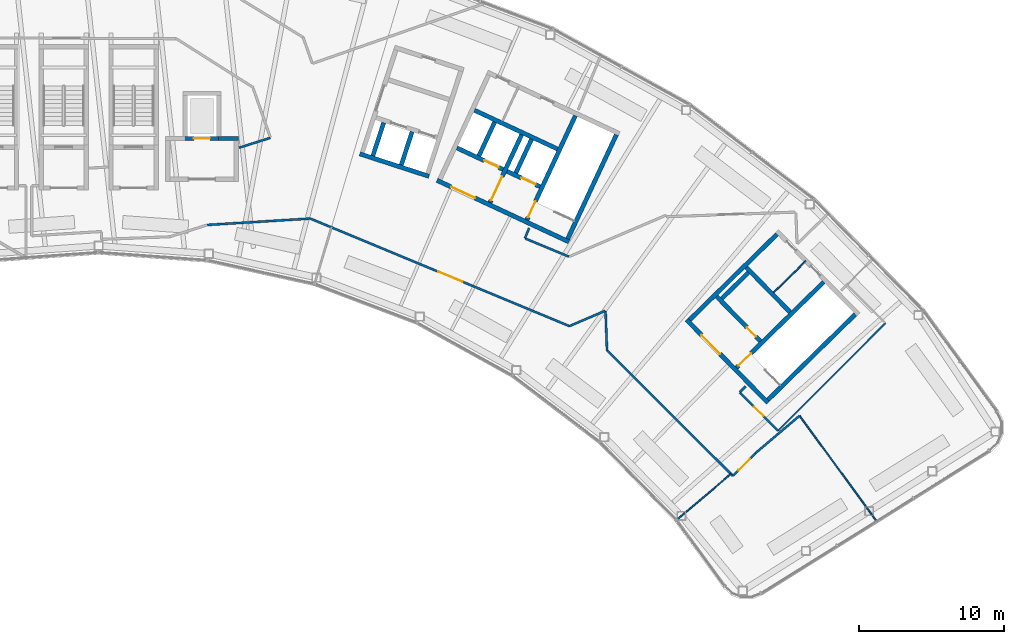
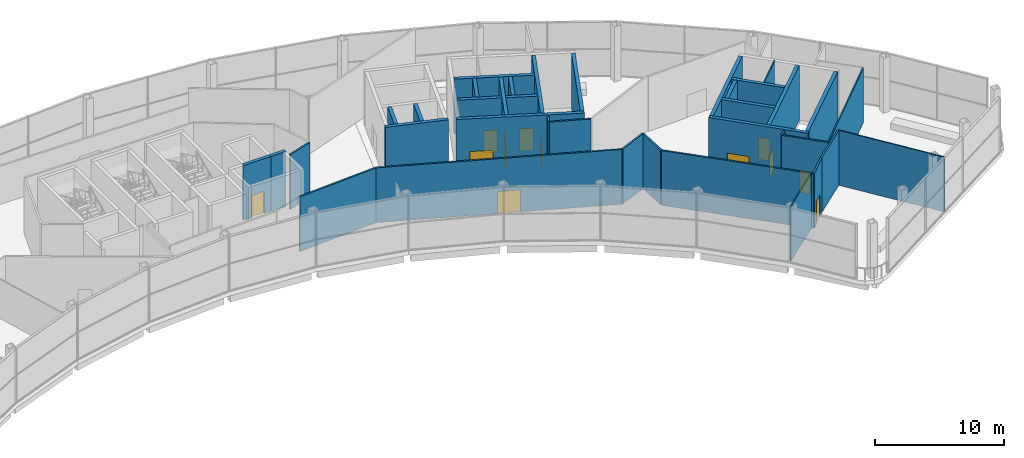
# One storey, part 39 of 44: 37 walls, 12 doors, 12 openings.
"""IFC4 building model written with IfcOpenShell, lengths in metres."""

from ifc_helpers import new_model, si_unit, direction, frame, frame_2d, origin, place, context, subcontext, project, spatial, rectangle, extrude, material, layer, layer_set, type_object, element, fill, save


model = new_model("IFC4")

# Units and contexts
model_context = context("Model", 3, precision=1e-05, world=origin(), true_north=direction((0.0, 1.0)))
body_context = subcontext(model_context, "Body", "Model", "MODEL_VIEW")
ifc_project = project(units=[si_unit("LENGTHUNIT", "METRE"), si_unit("AREAUNIT", "SQUARE_METRE"), si_unit("VOLUMEUNIT", "CUBIC_METRE"), si_unit("PLANEANGLEUNIT", "RADIAN"), si_unit("MASSUNIT", "GRAM", prefix="KILO")], contexts=[model_context])

# Site, building, storey
site_placement = place(None, origin())
site = spatial("IfcSite", under=ifc_project, at=site_placement, CompositionType="ELEMENT")
building_placement = place(site_placement, origin())
building = spatial("IfcBuilding", under=site, at=building_placement, Name="Tuul Gate Civic Tower", CompositionType="ELEMENT")
storey_placement = place(building_placement, frame((0.0, 0.0, 354.60009765625)))
storey = spatial("IfcBuildingStorey", under=building, at=storey_placement, Name="Observation level 2", CompositionType="ELEMENT", Elevation=354.60009765625)

# Wall, opening, door
ifc_material_1 = material(Name="Concrete C50/60", Category="concrete")
ifc_layer_1 = layer(ifc_material_1, 0.300048828125)
ifc_layer_set_1 = layer_set([ifc_layer_1], Name="Concrete C50/60")
wall_type_1 = type_object("IfcWallType", Name="Core wall C50/60", PredefinedType="SHEAR", material=ifc_layer_set_1)
wall_1_placement = place(storey_placement, frame((48.22509765625, -18.327880859375, 0.0), z_axis=(0.0, 0.0, 1.0), x_axis=(-0.700021979774, 0.714121297703, 0.0)))
wall_1 = element("IfcWall", 1, at=wall_1_placement, inside=storey, type_object=wall_type_1, Name="Core wall", PredefinedType="SHEAR", context=body_context, shape_type="SweptSolid", body=[
    extrude(rectangle(XDim=8.0, YDim=0.300048828125, at=frame_2d((4.0, 0.0))), origin(), (0.0, 0.0, 1.0), 5.199951171875),
])
opening_1_placement = place(wall_1_placement, frame((4.72509765625, 0.0, 0.0)))
opening_1 = element("IfcOpeningElement", 2, at=opening_1_placement, cuts=wall_1, Name="Opening LB-E1-LOBBY-1", PredefinedType="OPENING", context=body_context, shape_type="SweptSolid", body=[
    extrude(rectangle(XDim=1.800048828125, YDim=2.10009765625, at=frame_2d((0.89990234375, 1.050048828125))), frame((0.0, 0.16015625, 0.0), z_axis=(0.0, -1.0, 0.0), x_axis=(1.0, 0.0, 0.0)), (0.0, 0.0, 1.0), 0.320068359375),
])
ifc_material_2 = material(Name="Steel", Category="steel")
door_type_1 = type_object("IfcDoorType", Name="Lobby door", OperationType="DOUBLE_DOOR_SINGLE_SWING", PredefinedType="DOOR", material=ifc_material_2)
door_1_placement = place(opening_1_placement, origin())
door_1 = element("IfcDoor", 3, at=door_1_placement, inside=storey, type_object=door_type_1, Name="Lobby door E1-LOBBY", OperationType="DOUBLE_DOOR_SINGLE_SWING", OverallHeight=2.10009765625, OverallWidth=1.800048828125, PredefinedType="DOOR", context=body_context, shape_type="SweptSolid", body=[
    extrude(rectangle(XDim=1.800048828125, YDim=2.10009765625, at=frame_2d((0.89990234375, 1.050048828125))), frame((0.0, 0.02490234375, 0.0), z_axis=(0.0, -1.0, 0.0), x_axis=(1.0, 0.0, 0.0)), (0.0, 0.0, 1.0), 0.050048828125),
])
fill(opening_1, door_1)

wall_2_placement = place(storey_placement, frame((47.701904296875, -14.079833984375, 0.0), z_axis=(0.0, 0.0, 1.0), x_axis=(-0.700002721075, 0.714140175657, 0.0)))
wall_2 = element("IfcWall", 4, at=wall_2_placement, inside=storey, type_object=wall_type_1, Name="Core wall", PredefinedType="SHEAR", context=body_context, shape_type="SweptSolid", body=[
    extrude(rectangle(XDim=4.300048828125, YDim=0.300048828125, at=frame_2d((2.14990234375, 0.0))), origin(), (0.0, 0.0, 1.0), 5.199951171875),
])
opening_2_placement = place(wall_2_placement, frame((0.425048828125, 0.0, 0.0)))
opening_2 = element("IfcOpeningElement", 5, at=opening_2_placement, cuts=wall_2, Name="Opening FB-E1A1", PredefinedType="OPENING", context=body_context, shape_type="SweptSolid", body=[
    extrude(rectangle(XDim=0.89990234375, YDim=2.10009765625, at=frame_2d((0.449951171875, 1.050048828125))), frame((0.0, 0.16015625, 0.0), z_axis=(0.0, -1.0, 0.0), x_axis=(1.0, 0.0, 0.0)), (0.0, 0.0, 1.0), 0.320068359375),
])
ifc_material_3 = material(Name="Steel", Category="steel")
door_type_2 = type_object("IfcDoorType", Name="Store door", OperationType="NOTDEFINED", PredefinedType="DOOR", material=ifc_material_3)
door_2_placement = place(opening_2_placement, frame((0.89990234375, 0.0, 0.0), z_axis=(0.0, 0.0, 1.0), x_axis=(-1.0, 0.0, 0.0)))
door_2 = element("IfcDoor", 6, at=door_2_placement, inside=storey, type_object=door_type_2, Name="Store door E1A1", OperationType="SINGLE_SWING_RIGHT", OverallHeight=2.10009765625, OverallWidth=0.89990234375, PredefinedType="DOOR", context=body_context, shape_type="SweptSolid", body=[
    extrude(rectangle(XDim=0.89990234375, YDim=2.10009765625, at=frame_2d((0.449951171875, 1.050048828125))), frame((0.0, 0.02490234375, 0.0), z_axis=(0.0, -1.0, 0.0), x_axis=(1.0, 0.0, 0.0)), (0.0, 0.0, 1.0), 0.050048828125),
])
fill(opening_2, door_2)

# Walls
wall_3_placement = place(storey_placement, frame((49.737060546875, -12.0849609375, 0.0), z_axis=(0.0, 0.0, 1.0), x_axis=(-0.700002721075, 0.714140175657, 0.0)))
element("IfcWall", 7, at=wall_3_placement, inside=storey, type_object=wall_type_1, Name="Core wall", PredefinedType="SHEAR", context=body_context, shape_type="SweptSolid", body=[
    extrude(rectangle(XDim=4.300048828125, YDim=0.300048828125, at=frame_2d((2.14990234375, 0.0))), origin(), (0.0, 0.0, 1.0), 5.199951171875),
])
wall_4_placement = place(storey_placement, frame((48.227294921875, -18.115966796875, 0.0), z_axis=(0.0, 0.0, 1.0), x_axis=(0.714105315431, 0.700038283577, 0.0)))
element("IfcWall", 8, at=wall_4_placement, inside=storey, type_object=wall_type_1, Name="Core wall", PredefinedType="SHEAR", context=body_context, shape_type="SweptSolid", body=[
    extrude(rectangle(XDim=8.400146484375, YDim=0.300048828125, at=frame_2d((4.2001953125, 0.0))), origin(), (0.0, 0.0, 1.0), 5.199951171875),
])

# Wall, opening, door
wall_5_placement = place(storey_placement, frame((46.05712890625, -15.902099609375, 0.0), z_axis=(0.0, 0.0, 1.0), x_axis=(0.714134086973, 0.700008932674, 0.0)))
wall_5 = element("IfcWall", 9, at=wall_5_placement, inside=storey, type_object=wall_type_1, Name="Core wall", PredefinedType="SHEAR", context=body_context, shape_type="SweptSolid", body=[
    extrude(rectangle(XDim=8.400146484375, YDim=0.300048828125, at=frame_2d((4.2001953125, 0.0))), origin(), (0.0, 0.0, 1.0), 5.199951171875),
])
opening_3_placement = place(wall_5_placement, frame((0.199951171875, 0.0, 0.0)))
opening_3 = element("IfcOpeningElement", 10, at=opening_3_placement, cuts=wall_5, Name="Opening SD-ST-3", PredefinedType="OPENING", context=body_context, shape_type="SweptSolid", body=[
    extrude(rectangle(XDim=1.199951171875, YDim=2.10009765625, at=frame_2d((0.60009765625, 1.050048828125))), frame((0.0, 0.16015625, 0.0), z_axis=(0.0, -1.0, 0.0), x_axis=(1.0, 0.0, 0.0)), (0.0, 0.0, 1.0), 0.320068359375),
])
ifc_material_4 = material(Name="Steel", Category="steel")
door_type_3 = type_object("IfcDoorType", Name="Stair door", OperationType="NOTDEFINED", PredefinedType="DOOR", material=ifc_material_4)
door_3_placement = place(opening_3_placement, frame((1.199951171875, 0.0, 0.0), z_axis=(0.0, 0.0, 1.0), x_axis=(-1.0, 0.0, 0.0)))
door_3 = element("IfcDoor", 11, at=door_3_placement, inside=storey, type_object=door_type_3, Name="Stair door ST-3", OperationType="SINGLE_SWING_RIGHT", OverallHeight=2.10009765625, OverallWidth=1.199951171875, PredefinedType="DOOR", context=body_context, shape_type="SweptSolid", body=[
    extrude(rectangle(XDim=1.199951171875, YDim=2.10009765625, at=frame_2d((0.599853515625, 1.050048828125))), frame((0.0, 0.02490234375, 0.0), z_axis=(0.0, -1.0, 0.0), x_axis=(1.0, 0.0, 0.0)), (0.0, 0.0, 1.0), 0.050048828125),
])
fill(opening_3, door_3)

# Walls
wall_6_placement = place(storey_placement, frame((45.0439453125, -11.154052734375, 0.0), z_axis=(0.0, 0.0, 1.0), x_axis=(0.714108498262, 0.700035036773, 0.0)))
element("IfcWall", 12, at=wall_6_placement, inside=storey, type_object=wall_type_1, Name="Core wall", PredefinedType="SHEAR", context=body_context, shape_type="SweptSolid", body=[
    extrude(rectangle(XDim=2.550048828125, YDim=0.300048828125, at=frame_2d((1.27490234375, 0.0))), origin(), (0.0, 0.0, 1.0), 5.199951171875),
])
wall_7_placement = place(storey_placement, frame((42.837158203125, -12.616943359375, 0.0), z_axis=(0.0, 0.0, 1.0), x_axis=(0.714119844755, 0.700023461983, 0.0)))
element("IfcWall", 13, at=wall_7_placement, inside=storey, type_object=wall_type_1, Name="Core wall", PredefinedType="SHEAR", context=body_context, shape_type="SweptSolid", body=[
    extrude(rectangle(XDim=8.39990234375, YDim=0.300048828125, at=frame_2d((4.199951171875, 0.0))), origin(), (0.0, 0.0, 1.0), 5.199951171875),
])

# Wall, opening, door
wall_8_placement = place(storey_placement, frame((34.5283203125, -7.25, 0.0), z_axis=(0.0, 0.0, 1.0), x_axis=(-0.906310338845, 0.422612789327, 0.0)))
wall_8 = element("IfcWall", 14, at=wall_8_placement, inside=storey, type_object=wall_type_1, Name="Core wall", PredefinedType="SHEAR", context=body_context, shape_type="SweptSolid", body=[
    extrude(rectangle(XDim=9.999755859375, YDim=0.300048828125, at=frame_2d((5.0, 0.0))), origin(), (0.0, 0.0, 1.0), 5.199951171875),
])
opening_4_placement = place(wall_8_placement, frame((7.125, 0.0, 0.0)))
opening_4 = element("IfcOpeningElement", 15, at=opening_4_placement, cuts=wall_8, Name="Opening LB-E3-LOBBY-1", PredefinedType="OPENING", context=body_context, shape_type="SweptSolid", body=[
    extrude(rectangle(XDim=1.800048828125, YDim=2.10009765625, at=frame_2d((0.89990234375, 1.050048828125))), frame((0.0, 0.16015625, 0.0), z_axis=(0.0, -1.0, 0.0), x_axis=(1.0, 0.0, 0.0)), (0.0, 0.0, 1.0), 0.320068359375),
])
door_4_placement = place(opening_4_placement, origin())
door_4 = element("IfcDoor", 16, at=door_4_placement, inside=storey, type_object=door_type_1, Name="Lobby door E3-LOBBY", OperationType="DOUBLE_DOOR_SINGLE_SWING", OverallHeight=2.10009765625, OverallWidth=1.800048828125, PredefinedType="DOOR", context=body_context, shape_type="SweptSolid", body=[
    extrude(rectangle(XDim=1.800048828125, YDim=2.10009765625, at=frame_2d((0.89990234375, 1.050048828125))), frame((0.0, 0.02490234375, 0.0), z_axis=(0.0, -1.0, 0.0), x_axis=(1.0, 0.0, 0.0)), (0.0, 0.0, 1.0), 0.050048828125),
])
fill(opening_4, door_4)

wall_9_placement = place(storey_placement, frame((32.545654296875, -3.456787109375, 0.0), z_axis=(0.0, 0.0, 1.0), x_axis=(-0.906300357825, 0.42263419337, 0.0)))
wall_9 = element("IfcWall", 17, at=wall_9_placement, inside=storey, type_object=wall_type_1, Name="Core wall", PredefinedType="SHEAR", context=body_context, shape_type="SweptSolid", body=[
    extrude(rectangle(XDim=2.500244140625, YDim=0.300048828125, at=frame_2d((1.25, 0.0))), origin(), (0.0, 0.0, 1.0), 5.199951171875),
])
opening_5_placement = place(wall_9_placement, frame((0.324951171875, 0.0, 0.0)))
opening_5 = element("IfcOpeningElement", 18, at=opening_5_placement, cuts=wall_9, Name="Opening LD-FF-2", PredefinedType="OPENING", context=body_context, shape_type="SweptSolid", body=[
    extrude(rectangle(XDim=1.10009765625, YDim=2.10009765625, at=frame_2d((0.550048828125, 1.050048828125))), frame((0.0, 0.16015625, 0.0), z_axis=(0.0, -1.0, 0.0), x_axis=(1.0, 0.0, 0.0)), (0.0, 0.0, 1.0), 0.320068359375),
])
ifc_material_5 = material(Name="Stainless steel", Category="steel")
door_type_4 = type_object("IfcDoorType", Name="Landing door", OperationType="DOUBLE_DOOR_SLIDING", PredefinedType="DOOR", material=ifc_material_5)
door_5_placement = place(opening_5_placement, origin())
door_5 = element("IfcDoor", 19, at=door_5_placement, inside=storey, type_object=door_type_4, Name="Fire-fighting lift FF-2 landing door", OperationType="DOUBLE_DOOR_SLIDING", OverallHeight=2.10009765625, OverallWidth=1.10009765625, PredefinedType="DOOR", context=body_context, shape_type="SweptSolid", body=[
    extrude(rectangle(XDim=1.10009765625, YDim=2.10009765625, at=frame_2d((0.550048828125, 1.050048828125))), frame((0.0, 0.02490234375, 0.0), z_axis=(0.0, -1.0, 0.0), x_axis=(1.0, 0.0, 0.0)), (0.0, 0.0, 1.0), 0.050048828125),
])
fill(opening_5, door_5)

wall_10_placement = place(storey_placement, frame((30.0078125, -2.2734375, 0.0), z_axis=(0.0, 0.0, 1.0), x_axis=(-0.90630071767, 0.422633421716, 0.0)))
wall_10 = element("IfcWall", 20, at=wall_10_placement, inside=storey, type_object=wall_type_1, Name="Core wall", PredefinedType="SHEAR", context=body_context, shape_type="SweptSolid", body=[
    extrude(rectangle(XDim=3.5, YDim=0.300048828125, at=frame_2d((1.75, 0.0))), origin(), (0.0, 0.0, 1.0), 5.199951171875),
])
opening_6_placement = place(wall_10_placement, frame((0.324951171875, 0.0, 0.0)))
opening_6 = element("IfcOpeningElement", 21, at=opening_6_placement, cuts=wall_10, Name="Opening LD-X1", PredefinedType="OPENING", context=body_context, shape_type="SweptSolid", body=[
    extrude(rectangle(XDim=1.10009765625, YDim=2.10009765625, at=frame_2d((0.550048828125, 1.050048828125))), frame((0.0, 0.16015625, 0.0), z_axis=(0.0, -1.0, 0.0), x_axis=(1.0, 0.0, 0.0)), (0.0, 0.0, 1.0), 0.320068359375),
])
door_6_placement = place(opening_6_placement, origin())
door_6 = element("IfcDoor", 22, at=door_6_placement, inside=storey, type_object=door_type_4, Name="Observation express lift X1 landing door", OperationType="DOUBLE_DOOR_SLIDING", OverallHeight=2.10009765625, OverallWidth=1.10009765625, PredefinedType="DOOR", context=body_context, shape_type="SweptSolid", body=[
    extrude(rectangle(XDim=1.10009765625, YDim=2.10009765625, at=frame_2d((0.550048828125, 1.050048828125))), frame((0.0, 0.02490234375, 0.0), z_axis=(0.0, -1.0, 0.0), x_axis=(1.0, 0.0, 0.0)), (0.0, 0.0, 1.0), 0.050048828125),
])
fill(opening_6, door_6)

# Walls
wall_11_placement = place(storey_placement, frame((33.75, -0.873779296875, 0.0), z_axis=(0.0, 0.0, 1.0), x_axis=(-0.906300917592, 0.422632992999, 0.0)))
element("IfcWall", 23, at=wall_11_placement, inside=storey, type_object=wall_type_1, Name="Core wall", PredefinedType="SHEAR", context=body_context, shape_type="SweptSolid", body=[
    extrude(rectangle(XDim=6.300048828125, YDim=0.300048828125, at=frame_2d((3.14990234375, 0.0))), origin(), (0.0, 0.0, 1.0), 5.199951171875),
])
wall_12_placement = place(storey_placement, frame((34.455810546875, -7.05078125, 0.0), z_axis=(0.0, 0.0, 1.0), x_axis=(0.422570768258, 0.906329932096, 0.0)))
element("IfcWall", 24, at=wall_12_placement, inside=storey, type_object=wall_type_1, Name="Core wall", PredefinedType="SHEAR", context=body_context, shape_type="SweptSolid", body=[
    extrude(rectangle(XDim=7.900146484375, YDim=0.300048828125, at=frame_2d((3.9501953125, 0.0))), origin(), (0.0, 0.0, 1.0), 5.199951171875),
])

# Wall, opening, door
wall_13_placement = place(storey_placement, frame((31.646240234375, -5.740478515625, 0.0), z_axis=(0.0, 0.0, 1.0), x_axis=(0.422582604137, 0.906324413596, 0.0)))
wall_13 = element("IfcWall", 25, at=wall_13_placement, inside=storey, type_object=wall_type_1, Name="Core wall", PredefinedType="SHEAR", context=body_context, shape_type="SweptSolid", body=[
    extrude(rectangle(XDim=7.89990234375, YDim=0.300048828125, at=frame_2d((3.949951171875, 0.0))), origin(), (0.0, 0.0, 1.0), 5.199951171875),
])
opening_7_placement = place(wall_13_placement, frame((0.199951171875, 0.0, 0.0)))
opening_7 = element("IfcOpeningElement", 26, at=opening_7_placement, cuts=wall_13, Name="Opening SD-ST-4", PredefinedType="OPENING", context=body_context, shape_type="SweptSolid", body=[
    extrude(rectangle(XDim=1.199951171875, YDim=2.10009765625, at=frame_2d((0.60009765625, 1.050048828125))), frame((0.0, 0.16015625, 0.0), z_axis=(0.0, -1.0, 0.0), x_axis=(1.0, 0.0, 0.0)), (0.0, 0.0, 1.0), 0.320068359375),
])
door_7_placement = place(opening_7_placement, frame((1.199951171875, 0.0, 0.0), z_axis=(0.0, 0.0, 1.0), x_axis=(-1.0, 0.0, 0.0)))
door_7 = element("IfcDoor", 27, at=door_7_placement, inside=storey, type_object=door_type_3, Name="Stair door ST-4", OperationType="SINGLE_SWING_RIGHT", OverallHeight=2.10009765625, OverallWidth=1.199951171875, PredefinedType="DOOR", context=body_context, shape_type="SweptSolid", body=[
    extrude(rectangle(XDim=1.199951171875, YDim=2.10009765625, at=frame_2d((0.599853515625, 1.050048828125))), frame((0.0, 0.02490234375, 0.0), z_axis=(0.0, -1.0, 0.0), x_axis=(1.0, 0.0, 0.0)), (0.0, 0.0, 1.0), 0.050048828125),
])
fill(opening_7, door_7)

# Wall
wall_14_placement = place(storey_placement, frame((30.886962890625, -2.517822265625, 0.0), z_axis=(0.0, 0.0, 1.0), x_axis=(0.422612891016, 0.906310291427, 0.0)))
element("IfcWall", 28, at=wall_14_placement, inside=storey, type_object=wall_type_1, Name="Core wall", PredefinedType="SHEAR", context=body_context, shape_type="SweptSolid", body=[
    extrude(rectangle(XDim=2.550048828125, YDim=0.300048828125, at=frame_2d((1.27490234375, 0.0))), origin(), (0.0, 0.0, 1.0), 5.199951171875),
])

# Wall, opening, door
wall_15_placement = place(storey_placement, frame((29.108642578125, -4.557373046875, 0.0), z_axis=(0.0, 0.0, 1.0), x_axis=(0.422566235356, 0.90633204552, 0.0)))
wall_15 = element("IfcWall", 29, at=wall_15_placement, inside=storey, type_object=wall_type_1, Name="Core wall", PredefinedType="SHEAR", context=body_context, shape_type="SweptSolid", body=[
    extrude(rectangle(XDim=5.150146484375, YDim=0.300048828125, at=frame_2d((2.5751953125, 0.0))), origin(), (0.0, 0.0, 1.0), 5.199951171875),
])
opening_8_placement = place(wall_15_placement, frame((0.175048828125, 0.0, 0.0)))
opening_8 = element("IfcOpeningElement", 30, at=opening_8_placement, cuts=wall_15, Name="Opening LB-E3-FLOBBY-1", PredefinedType="OPENING", context=body_context, shape_type="SweptSolid", body=[
    extrude(rectangle(XDim=1.800048828125, YDim=2.10009765625, at=frame_2d((0.89990234375, 1.050048828125))), frame((0.0, 0.16015625, 0.0), z_axis=(0.0, -1.0, 0.0), x_axis=(1.0, 0.0, 0.0)), (0.0, 0.0, 1.0), 0.320068359375),
])
door_8_placement = place(opening_8_placement, origin())
door_8 = element("IfcDoor", 31, at=door_8_placement, inside=storey, type_object=door_type_1, Name="Lobby door E3-FLOBBY", OperationType="DOUBLE_DOOR_SINGLE_SWING", OverallHeight=2.10009765625, OverallWidth=1.800048828125, PredefinedType="DOOR", context=body_context, shape_type="SweptSolid", body=[
    extrude(rectangle(XDim=1.800048828125, YDim=2.10009765625, at=frame_2d((0.89990234375, 1.050048828125))), frame((0.0, 0.02490234375, 0.0), z_axis=(0.0, -1.0, 0.0), x_axis=(1.0, 0.0, 0.0)), (0.0, 0.0, 1.0), 0.050048828125),
])
fill(opening_8, door_8)

# Wall
wall_16_placement = place(storey_placement, frame((28.349365234375, -1.33447265625, 0.0), z_axis=(0.0, 0.0, 1.0), x_axis=(0.422612891016, 0.906310291427, 0.0)))
element("IfcWall", 32, at=wall_16_placement, inside=storey, type_object=wall_type_1, Name="Core wall", PredefinedType="SHEAR", context=body_context, shape_type="SweptSolid", body=[
    extrude(rectangle(XDim=2.550048828125, YDim=0.300048828125, at=frame_2d((1.27490234375, 0.0))), origin(), (0.0, 0.0, 1.0), 5.199951171875),
])

# Wall, opening, door
wall_17_placement = place(storey_placement, frame((10.60009765625, -0.14990234375, 0.0), z_axis=(0.0, 0.0, 1.0), x_axis=(-1.0, 0.0, 0.0)))
wall_17 = element("IfcWall", 33, at=wall_17_placement, inside=storey, type_object=wall_type_1, Name="Core wall", PredefinedType="SHEAR", context=body_context, shape_type="SweptSolid", body=[
    extrude(rectangle(XDim=2.60009765625, YDim=0.300048828125, at=frame_2d((1.300048828125, 0.0))), origin(), (0.0, 0.0, 1.0), 5.199951171875),
])
opening_9_placement = place(wall_17_placement, frame((0.75, 0.0, 0.0)))
opening_9 = element("IfcOpeningElement", 34, at=opening_9_placement, cuts=wall_17, Name="Opening LD-X4", PredefinedType="OPENING", context=body_context, shape_type="SweptSolid", body=[
    extrude(rectangle(XDim=1.10009765625, YDim=2.10009765625, at=frame_2d((0.550048828125, 1.050048828125))), frame((0.0, 0.16015625, 0.0), z_axis=(0.0, -1.0, 0.0), x_axis=(1.0, 0.0, 0.0)), (0.0, 0.0, 1.0), 0.320068359375),
])
door_9_placement = place(opening_9_placement, origin())
door_9 = element("IfcDoor", 35, at=door_9_placement, inside=storey, type_object=door_type_4, Name="Crown lift X4 landing door", OperationType="DOUBLE_DOOR_SLIDING", OverallHeight=2.10009765625, OverallWidth=1.10009765625, PredefinedType="DOOR", context=body_context, shape_type="SweptSolid", body=[
    extrude(rectangle(XDim=1.10009765625, YDim=2.10009765625, at=frame_2d((0.550048828125, 1.050048828125))), frame((0.0, 0.02490234375, 0.0), z_axis=(0.0, -1.0, 0.0), x_axis=(1.0, 0.0, 0.0)), (0.0, 0.0, 1.0), 0.050048828125),
])
fill(opening_9, door_9)

# Wall
ifc_material_6 = material(Name="Gypsum board partition")
ifc_layer_2 = layer(ifc_material_6, 0.14990234375)
ifc_layer_set_2 = layer_set([ifc_layer_2], Name="Gypsum board partition")
wall_type_2 = type_object("IfcWallType", Name="Corridor wall P150", PredefinedType="PARTITIONING", material=ifc_layer_set_2)
wall_18_placement = place(storey_placement, frame((46.28125, -17.595703125, 0.0), z_axis=(0.0, 0.0, 1.0), x_axis=(0.706045857572, 0.708166115403, 0.0)))
element("IfcWall", 36, at=wall_18_placement, inside=storey, type_object=wall_type_2, Name="p001", PredefinedType="PARTITIONING", context=body_context, shape_type="SweptSolid", body=[
    extrude(rectangle(XDim=0.57568359375, YDim=0.14990234375, at=frame_2d((0.287841796875, 0.0))), origin(), (0.0, 0.0, 1.0), 5.199951171875),
])

# Wall, opening, door
wall_19_placement = place(storey_placement, frame((45.812744140625, -23.349365234375, 0.0), z_axis=(0.0, 0.0, 1.0), x_axis=(0.706327109932, 0.707885593705, 0.0)))
wall_19 = element("IfcWall", 37, at=wall_19_placement, inside=storey, type_object=wall_type_2, Name="p003", PredefinedType="PARTITIONING", context=body_context, shape_type="SweptSolid", body=[
    extrude(rectangle(XDim=2.193115234375, YDim=0.14990234375, at=frame_2d((1.0966796875, 0.0))), origin(), (0.0, 0.0, 1.0), 5.199951171875),
])
opening_10_placement = place(wall_19_placement, frame((0.549560546875, 0.0, 0.0)))
opening_10 = element("IfcOpeningElement", 38, at=opening_10_placement, cuts=wall_19, Name="Opening AE-D12", PredefinedType="OPENING", context=body_context, shape_type="SweptSolid", body=[
    extrude(rectangle(XDim=1.10009765625, YDim=2.10009765625, at=frame_2d((0.550048828125, 1.050048828125))), frame((0.0, 0.0849609375, 0.0), z_axis=(0.0, -1.0, 0.0), x_axis=(1.0, 0.0, 0.0)), (0.0, 0.0, 1.0), 0.169921875),
])
ifc_material_7 = material(Name="Timber door leaf", Category="wood")
door_type_5 = type_object("IfcDoorType", Name="Door D11", OperationType="NOTDEFINED", PredefinedType="DOOR", material=ifc_material_7)
door_10_placement = place(opening_10_placement, frame((1.10009765625, 0.0, 0.0), z_axis=(0.0, 0.0, 1.0), x_axis=(-1.0, 0.0, 0.0)))
door_10 = element("IfcDoor", 39, at=door_10_placement, inside=storey, type_object=door_type_5, Name="Door AE-D12", OperationType="SINGLE_SWING_LEFT", OverallHeight=2.10009765625, OverallWidth=1.10009765625, PredefinedType="DOOR", context=body_context, shape_type="SweptSolid", body=[
    extrude(rectangle(XDim=1.10009765625, YDim=2.10009765625, at=frame_2d((0.550048828125, 1.050048828125))), frame((0.0, 0.02490234375, 0.0), z_axis=(0.0, -1.0, 0.0), x_axis=(1.0, 0.0, 0.0)), (0.0, 0.0, 1.0), 0.050048828125),
])
fill(opening_10, door_10)

wall_20_placement = place(storey_placement, frame((46.27783203125, -17.613037109375, 0.0), z_axis=(0.0, 0.0, 1.0), x_axis=(0.707893401516, -0.706319284807, 0.0)))
wall_20 = element("IfcWall", 40, at=wall_20_placement, inside=storey, type_object=wall_type_2, Name="p004", PredefinedType="PARTITIONING", context=body_context, shape_type="SweptSolid", body=[
    extrude(rectangle(XDim=3.722412109375, YDim=0.14990234375, at=frame_2d((1.861328125, 0.0))), origin(), (0.0, 0.0, 1.0), 5.199951171875),
])
opening_11_placement = place(wall_20_placement, frame((1.406005859375, 0.0, 0.0)))
opening_11 = element("IfcOpeningElement", 41, at=opening_11_placement, cuts=wall_20, Name="Opening AE-D01", PredefinedType="OPENING", context=body_context, shape_type="SweptSolid", body=[
    extrude(rectangle(XDim=0.89990234375, YDim=2.10009765625, at=frame_2d((0.449951171875, 1.050048828125))), frame((0.0, 0.0849609375, 0.0), z_axis=(0.0, -1.0, 0.0), x_axis=(1.0, 0.0, 0.0)), (0.0, 0.0, 1.0), 0.169921875),
])
ifc_material_8 = material(Name="Timber door leaf", Category="wood")
door_type_6 = type_object("IfcDoorType", Name="Door D09", OperationType="NOTDEFINED", PredefinedType="DOOR", material=ifc_material_8)
door_11_placement = place(opening_11_placement, frame((0.89990234375, 0.0, 0.0), z_axis=(0.0, 0.0, 1.0), x_axis=(-1.0, 0.0, 0.0)))
door_11 = element("IfcDoor", 42, at=door_11_placement, inside=storey, type_object=door_type_6, Name="Door AE-D01", OperationType="SINGLE_SWING_LEFT", OverallHeight=2.10009765625, OverallWidth=0.89990234375, PredefinedType="DOOR", context=body_context, shape_type="SweptSolid", body=[
    extrude(rectangle(XDim=0.89990234375, YDim=2.10009765625, at=frame_2d((0.449951171875, 1.050048828125))), frame((0.0, 0.02490234375, 0.0), z_axis=(0.0, -1.0, 0.0), x_axis=(1.0, 0.0, 0.0)), (0.0, 0.0, 1.0), 0.050048828125),
])
fill(opening_11, door_11)

# Walls
wall_21_placement = place(storey_placement, frame((31.526123046875, -7.022705078125, 0.0), z_axis=(0.0, 0.0, 1.0), x_axis=(0.923608185341, -0.383337866603, 0.0)))
element("IfcWall", 43, at=wall_21_placement, inside=storey, type_object=wall_type_2, Name="p012", PredefinedType="PARTITIONING", context=body_context, shape_type="SweptSolid", body=[
    extrude(rectangle(XDim=3.257568359375, YDim=0.14990234375, at=frame_2d((1.62890625, 0.0))), origin(), (0.0, 0.0, 1.0), 5.199951171875),
])
wall_22_placement = place(storey_placement, frame((31.514892578125, -6.99609375, 0.0), z_axis=(0.0, 0.0, 1.0), x_axis=(0.383308947029, 0.9236201877, 0.0)))
element("IfcWall", 44, at=wall_22_placement, inside=storey, type_object=wall_type_2, Name="p013", PredefinedType="PARTITIONING", context=body_context, shape_type="SweptSolid", body=[
    extrude(rectangle(XDim=0.743408203125, YDim=0.14990234375, at=frame_2d((0.37158203125, 0.0))), origin(), (0.0, 0.0, 1.0), 5.199951171875),
])

# Wall, opening, door
wall_23_placement = place(storey_placement, frame((16.752197265625, -5.655029296875, 0.0), z_axis=(0.0, 0.0, 1.0), x_axis=(0.92361187119, -0.383328985855, 0.0)))
wall_23 = element("IfcWall", 45, at=wall_23_placement, inside=storey, type_object=wall_type_2, Name="p038", PredefinedType="PARTITIONING", context=body_context, shape_type="SweptSolid", body=[
    extrude(rectangle(XDim=19.28955078125, YDim=0.14990234375, at=frame_2d((9.644775390625, 0.0))), origin(), (0.0, 0.0, 1.0), 5.199951171875),
])
opening_12_placement = place(wall_23_placement, frame((9.531494140625, 0.0, 0.0)))
opening_12 = element("IfcOpeningElement", 46, at=opening_12_placement, cuts=wall_23, Name="Opening AE-D06", PredefinedType="OPENING", context=body_context, shape_type="SweptSolid", body=[
    extrude(rectangle(XDim=1.800048828125, YDim=2.10009765625, at=frame_2d((0.89990234375, 1.050048828125))), frame((0.0, 0.0849609375, 0.0), z_axis=(0.0, -1.0, 0.0), x_axis=(1.0, 0.0, 0.0)), (0.0, 0.0, 1.0), 0.169921875),
])
ifc_material_9 = material(Name="Timber door leaf, double", Category="wood")
door_type_7 = type_object("IfcDoorType", Name="Door D18", OperationType="DOUBLE_DOOR_SINGLE_SWING", PredefinedType="DOOR", material=ifc_material_9)
door_12_placement = place(opening_12_placement, frame((1.800048828125, 0.0, 0.0), z_axis=(0.0, 0.0, 1.0), x_axis=(-1.0, 0.0, 0.0)))
door_12 = element("IfcDoor", 47, at=door_12_placement, inside=storey, type_object=door_type_7, Name="Door AE-D06", OperationType="DOUBLE_DOOR_SINGLE_SWING", OverallHeight=2.10009765625, OverallWidth=1.800048828125, PredefinedType="DOOR", context=body_context, shape_type="SweptSolid", body=[
    extrude(rectangle(XDim=1.800048828125, YDim=2.10009765625, at=frame_2d((0.900146484375, 1.050048828125))), frame((0.0, 0.02490234375, 0.0), z_axis=(0.0, -1.0, 0.0), x_axis=(1.0, 0.0, 0.0)), (0.0, 0.0, 1.0), 0.050048828125),
])
fill(opening_12, door_12)

# Walls
wall_24_placement = place(storey_placement, frame((34.569580078125, -13.04931640625, 0.0), z_axis=(0.0, 0.0, 1.0), x_axis=(0.919433064699, 0.393246537858, 0.0)))
element("IfcWall", 48, at=wall_24_placement, inside=storey, type_object=wall_type_2, Name="p039", PredefinedType="PARTITIONING", context=body_context, shape_type="SweptSolid", body=[
    extrude(rectangle(XDim=2.672119140625, YDim=0.14990234375, at=frame_2d((1.3359375, 0.0))), origin(), (0.0, 0.0, 1.0), 5.199951171875),
])
wall_25_placement = place(storey_placement, frame((37.0546875, -12.0166015625, 0.0), z_axis=(0.0, 0.0, 1.0), x_axis=(0.036053412439, -0.999349864388, 0.0)))
element("IfcWall", 49, at=wall_25_placement, inside=storey, type_object=wall_type_2, Name="p041", PredefinedType="PARTITIONING", context=body_context, shape_type="SweptSolid", body=[
    extrude(rectangle(XDim=2.695068359375, YDim=0.14990234375, at=frame_2d((1.34765625, 0.0))), origin(), (0.0, 0.0, 1.0), 5.199951171875),
])
wall_26_placement = place(storey_placement, frame((37.15234375, -14.711181640625, 0.0), z_axis=(0.0, 0.0, 1.0), x_axis=(0.707975210364, -0.70623728414, 0.0)))
element("IfcWall", 50, at=wall_26_placement, inside=storey, type_object=wall_type_2, Name="p042", PredefinedType="PARTITIONING", context=body_context, shape_type="SweptSolid", body=[
    extrude(rectangle(XDim=12.2216796875, YDim=0.14990234375, at=frame_2d((6.11083984375, 0.0))), origin(), (0.0, 0.0, 1.0), 5.199951171875),
])
wall_27_placement = place(storey_placement, frame((47.359130859375, -21.785400390625, 0.0), z_axis=(0.0, 0.0, 1.0), x_axis=(0.76279510442, 0.646640262181, 0.0)))
element("IfcWall", 51, at=wall_27_placement, inside=storey, type_object=wall_type_2, Name="p043", PredefinedType="PARTITIONING", context=body_context, shape_type="SweptSolid", body=[
    extrude(rectangle(XDim=3.98095703125, YDim=0.14990234375, at=frame_2d((1.990478515625, 0.0))), origin(), (0.0, 0.0, 1.0), 5.199951171875),
])
wall_28_placement = place(storey_placement, frame((11.85009765625, -0.785888671875, 0.0), z_axis=(0.0, 0.0, 1.0), x_axis=(0.953268772948, 0.30212356168, 0.0)))
element("IfcWall", 52, at=wall_28_placement, inside=storey, type_object=wall_type_2, Name="p051", PredefinedType="PARTITIONING", context=body_context, shape_type="SweptSolid", body=[
    extrude(rectangle(XDim=2.248779296875, YDim=0.14990234375, at=frame_2d((1.12451171875, 0.0))), origin(), (0.0, 0.0, 1.0), 5.199951171875),
])
wall_29_placement = place(storey_placement, frame((9.664794921875, -6.093017578125, 0.0), z_axis=(0.0, 0.0, 1.0), x_axis=(0.998086983181, 0.061825350824, 0.0)))
element("IfcWall", 53, at=wall_29_placement, inside=storey, type_object=wall_type_2, Name="p055", PredefinedType="PARTITIONING", context=body_context, shape_type="SweptSolid", body=[
    extrude(rectangle(XDim=7.09228515625, YDim=0.14990234375, at=frame_2d((3.546142578125, 0.0))), origin(), (0.0, 0.0, 1.0), 5.199951171875),
])
ifc_material_10 = material(Name="Concrete C40/50", Category="concrete")
ifc_layer_3 = layer(ifc_material_10, 0.300048828125)
ifc_layer_set_3 = layer_set([ifc_layer_3], Name="Concrete C40/50")
wall_type_3 = type_object("IfcWallType", Name="Lift shaft wall C40/50", PredefinedType="STANDARD", material=ifc_layer_set_3)
wall_30_placement = place(storey_placement, frame((24.911376953125, -2.746337890625, 0.0), z_axis=(0.0, 0.0, 1.0), x_axis=(-0.951067792613, 0.308982287281, 0.0)))
element("IfcWall", 54, at=wall_30_placement, inside=storey, type_object=wall_type_3, Name="Shaft wall", PredefinedType="STANDARD", context=body_context, shape_type="SweptSolid", body=[
    extrude(rectangle(XDim=5.0, YDim=0.300048828125, at=frame_2d((2.5, 0.0))), origin(), (0.0, 0.0, 1.0), 5.199951171875),
])
for number, where, z_axis, x_axis, name in (
    (55, (23.008056640625, -1.97021484375, 0.0), (0.0, 0.0, 1.0), (0.309138975195, 0.951016873675, 0.0), "Shaft wall"),
    (56, (21.058349609375, -1.336669921875, 0.0), (0.0, 0.0, 1.0), (0.309138975195, 0.951016873675, 0.0), "Shaft wall"),
):
    element("IfcWall", number, at=place(storey_placement, frame(where, z_axis=z_axis, x_axis=x_axis)), inside=storey, type_object=wall_type_3, Name=name, PredefinedType="STANDARD", context=body_context, shape_type="SweptSolid", body=[
        extrude(rectangle(XDim=2.400146484375, YDim=0.300048828125, at=frame_2d((1.2001953125, 0.0))), origin(), (0.0, 0.0, 1.0), 5.199951171875),
    ])
ifc_material_11 = material(Name="Gypsum board partition")
ifc_layer_4 = layer(ifc_material_11, 0.10009765625)
ifc_layer_set_4 = layer_set([ifc_layer_4], Name="Gypsum board partition")
wall_type_4 = type_object("IfcWallType", Name="Partition P100", PredefinedType="PARTITIONING", material=ifc_layer_set_4)
wall_31_placement = place(storey_placement, frame((48.912841796875, -20.2421875, 0.0), z_axis=(0.0, 0.0, 1.0), x_axis=(0.706288628407, 0.707923988422, 0.0)))
element("IfcWall", 57, at=wall_31_placement, inside=storey, type_object=wall_type_4, Name="p007", PredefinedType="PARTITIONING", context=body_context, shape_type="SweptSolid", body=[
    extrude(rectangle(XDim=10.4501953125, YDim=0.10009765625, at=frame_2d((5.22509765625, 0.0))), origin(), (0.0, 0.0, 1.0), 5.199951171875),
])
wall_32_placement = place(storey_placement, frame((42.02099609375, -26.310302734375, 0.0), z_axis=(0.0, 0.0, 1.0), x_axis=(0.762817624, 0.646613696511, 0.0)))
element("IfcWall", 58, at=wall_32_placement, inside=storey, type_object=wall_type_4, Name="p036", PredefinedType="PARTITIONING", context=body_context, shape_type="SweptSolid", body=[
    extrude(rectangle(XDim=4.790283203125, YDim=0.10009765625, at=frame_2d((2.39501953125, 0.0))), origin(), (0.0, 0.0, 1.0), 5.199951171875),
])
wall_33_placement = place(storey_placement, frame((50.39599609375, -19.21142578125, 0.0), z_axis=(0.0, 0.0, 1.0), x_axis=(0.58980076904, -0.807548792854, 0.0)))
element("IfcWall", 59, at=wall_33_placement, inside=storey, type_object=wall_type_4, Name="p076", PredefinedType="PARTITIONING", context=body_context, shape_type="SweptSolid", body=[
    extrude(rectangle(XDim=9.02001953125, YDim=0.10009765625, at=frame_2d((4.510009765625, 0.0))), origin(), (0.0, 0.0, 1.0), 5.199951171875),
])
wall_34_placement = place(storey_placement, frame((48.619140625, -10.72998046875, 0.0), z_axis=(0.0, 0.0, 1.0), x_axis=(0.714159293908, 0.699983216173, 0.0)))
element("IfcWall", 60, at=wall_34_placement, inside=storey, type_object=wall_type_4, Name="bE1-BAND-0", PredefinedType="PARTITIONING", context=body_context, shape_type="SweptSolid", body=[
    extrude(rectangle(XDim=3.099853515625, YDim=0.10009765625, at=frame_2d((1.5498046875, 0.0))), origin(), (0.0, 0.0, 1.0), 5.199951171875),
])
ifc_material_12 = material(Name="Concrete C40/50", Category="concrete")
ifc_layer_5 = layer(ifc_material_12, 0.300048828125)
ifc_layer_set_5 = layer_set([ifc_layer_5], Name="Concrete C40/50")
wall_type_5 = type_object("IfcWallType", Name="Stair lobby wall C40/50", PredefinedType="STANDARD", material=ifc_layer_set_5)
wall_35_placement = place(storey_placement, frame((11.800048828125, -0.14990234375, 0.0), z_axis=(0.0, 0.0, 1.0), x_axis=(-1.0, 0.0, 0.0)))
element("IfcWall", 61, at=wall_35_placement, inside=storey, type_object=wall_type_5, Name="Shaft wall", PredefinedType="STANDARD", context=body_context, shape_type="SweptSolid", body=[
    extrude(rectangle(XDim=1.35009765625, YDim=0.300048828125, at=frame_2d((0.675048828125, 0.0))), origin(), (0.0, 0.0, 1.0), 5.199951171875),
])

save(model, "model.ifc")
